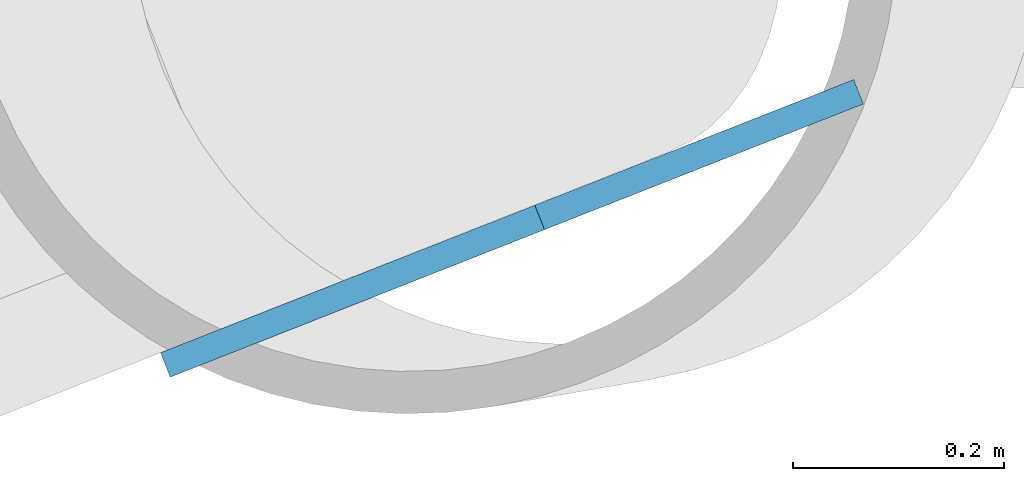
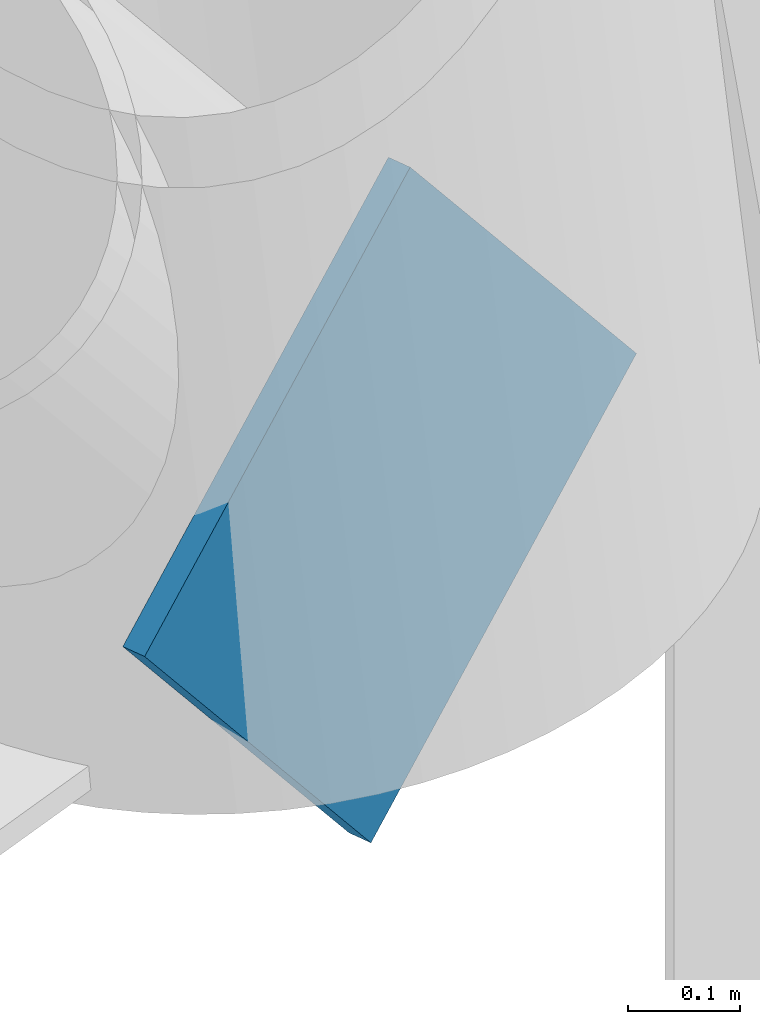
# One storey, part 24 of 35: 1 discrete accessory.
"""IFC4 building model written with IfcOpenShell, lengths in metres."""

from ifc_helpers import new_model, si_unit, direction, frame, origin, origin_2d, place, context, subcontext, project, spatial, rectangle, extrude, material, material_profile, profile_set, type_object, element, save


model = new_model("IFC4")

# Units and contexts
model_context = context("Model", 3, precision=1e-05, world=origin(), true_north=direction((0.0, 1.0)))
body_context = subcontext(model_context, "Body", "Model", "MODEL_VIEW")
ifc_project = project(units=[si_unit("LENGTHUNIT", "METRE"), si_unit("AREAUNIT", "SQUARE_METRE"), si_unit("VOLUMEUNIT", "CUBIC_METRE"), si_unit("PLANEANGLEUNIT", "RADIAN"), si_unit("MASSUNIT", "GRAM", prefix="KILO")], contexts=[model_context])

# Site, building, storey
site_placement = place(None, origin())
site = spatial("IfcSite", under=ifc_project, at=site_placement, CompositionType="ELEMENT")
building_placement = place(site_placement, origin())
building = spatial("IfcBuilding", under=site, at=building_placement, Name="Tarsis Ring Headquarters", CompositionType="ELEMENT")
storey_placement = place(building_placement, frame((0.0, 0.0, 377.60009765625)))
storey = spatial("IfcBuildingStorey", under=building, at=storey_placement, Name="L89", CompositionType="ELEMENT", Elevation=377.60009765625)

# Discrete accessory
ifc_material = material(Name="Structural steel S355", Category="steel")
ifc_material_profile = material_profile(ifc_material, rectangle(XDim=0.02490234375, YDim=0.5, at=origin_2d()), Name="PL 25x500")
ifc_profile_set = profile_set([ifc_material_profile], Name="Structural steel S355")
discrete_accessory_type = type_object("IfcDiscreteAccessoryType", Name="Gusset plate Exo brace 25", PredefinedType="BRACKET", material=ifc_profile_set)
discrete_accessory_placement = place(storey_placement, frame((-4.5576171875, 28.425048828125, 0.0), z_axis=(-0.60344067262, -0.237763436542, 0.7611359293), x_axis=(0.366583755424, -0.930385054834, 0.0)))
element("IfcDiscreteAccessory", 1, at=discrete_accessory_placement, inside=storey, type_object=discrete_accessory_type, Name="Gusset plate GP5", PredefinedType="BRACKET", context=body_context, shape_type="SweptSolid", body=[
    extrude(rectangle(XDim=0.02490234375, YDim=0.5, at=origin_2d()), origin(), (0.0, 0.0, 1.0), 0.5),
])

save(model, "model.ifc")
